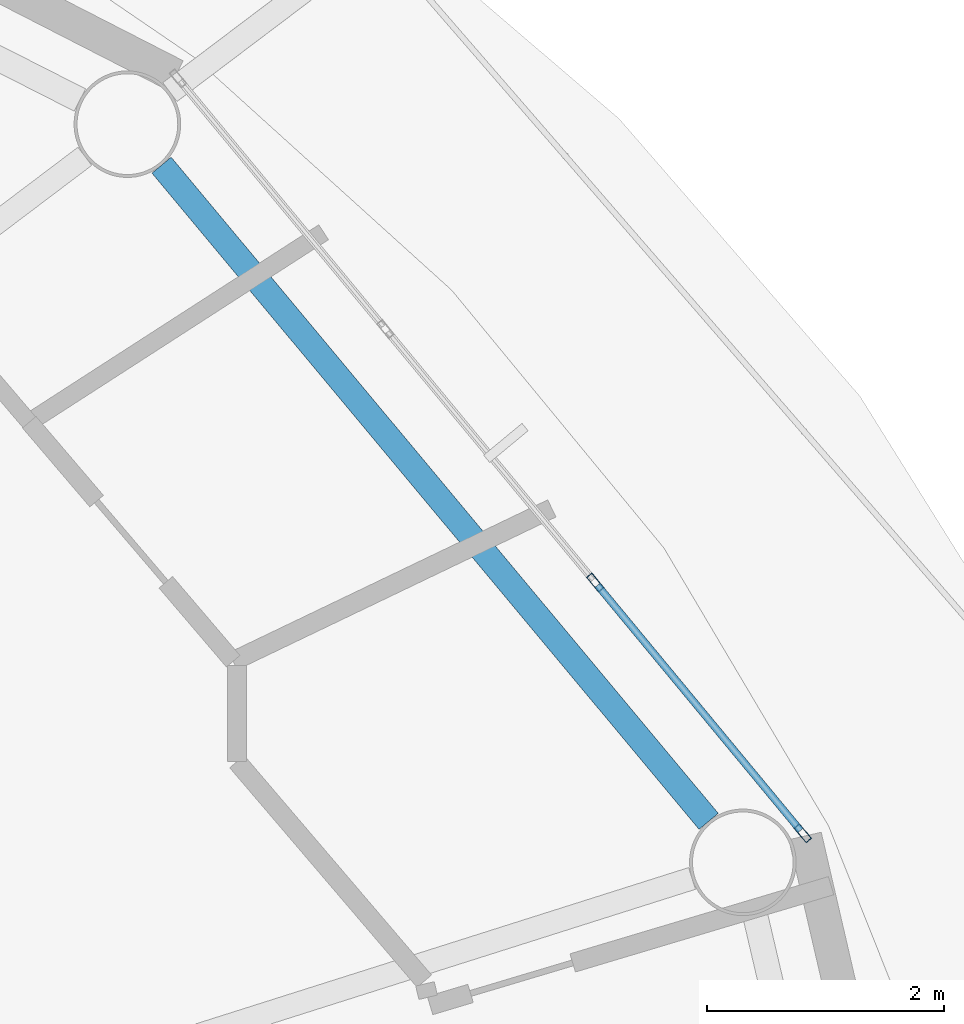
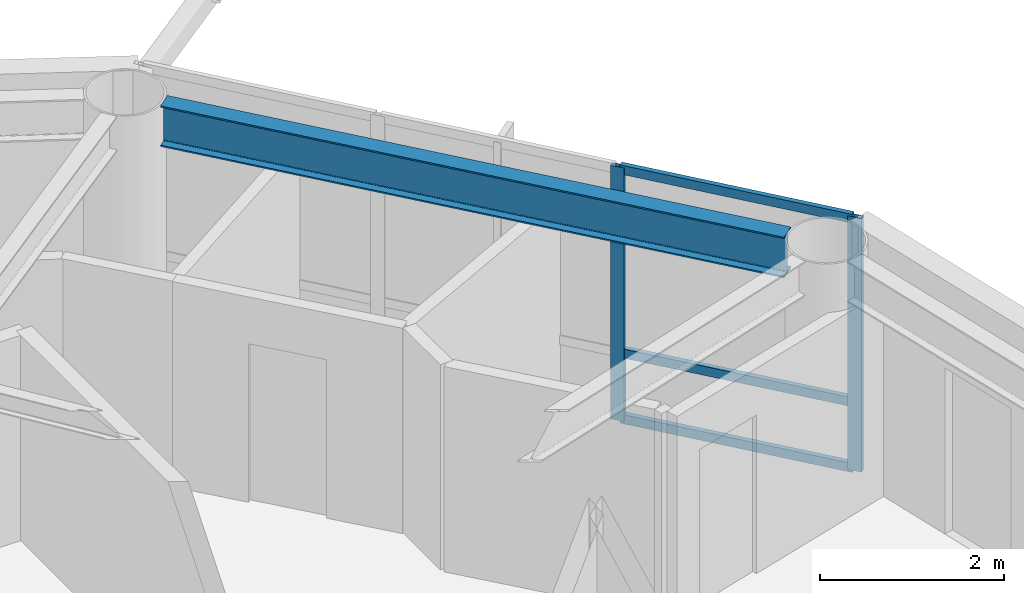
# One storey, part 7 of 23: 5 members, 1 beam, 1 element without a shape of its own.
"""IFC4 building model written with IfcOpenShell, lengths in metres."""

from ifc_helpers import new_model, si_unit, direction, frame, origin, origin_2d, place, context, subcontext, project, spatial, hollow_rectangle, i_section, extrude, material, layer, layer_set, material_profile, profile_set, type_object, element, aggregate, save


model = new_model("IFC4")

# Units and contexts
model_context = context("Model", 3, precision=1e-05, world=origin(), true_north=direction((0.0, 1.0)))
body_context = subcontext(model_context, "Body", "Model", "MODEL_VIEW")
ifc_project = project(units=[si_unit("LENGTHUNIT", "METRE"), si_unit("AREAUNIT", "SQUARE_METRE"), si_unit("VOLUMEUNIT", "CUBIC_METRE"), si_unit("PLANEANGLEUNIT", "RADIAN"), si_unit("MASSUNIT", "GRAM", prefix="KILO")], contexts=[model_context])

# Site, building, storey
site_placement = place(None, origin())
site = spatial("IfcSite", under=ifc_project, at=site_placement, CompositionType="ELEMENT")
building_placement = place(site_placement, origin())
building = spatial("IfcBuilding", under=site, at=building_placement, Name="Sarneth Arch Tower", CompositionType="ELEMENT")
storey_placement = place(building_placement, frame((0.0, 0.0, 231.60009765625)))
storey = spatial("IfcBuildingStorey", under=building, at=storey_placement, Name="L59", CompositionType="ELEMENT", Elevation=231.60009765625)

# Beam
ifc_material_1 = material(Name="Steel S355", Category="steel")
ifc_material_profile_1 = material_profile(ifc_material_1, i_section(OverallWidth=0.2109375, OverallDepth=0.5390625, WebThickness=0.01171875, FlangeThickness=0.018798828125, FilletRadius=0.01806640625, at=origin_2d()), Name="W530x109")
ifc_profile_set_1 = profile_set([ifc_material_profile_1], Name="Steel S355")
beam_type = type_object("IfcBeamType", Name="BM-RAD-530B", PredefinedType="BEAM", material=ifc_profile_set_1)
beam_placement = place(storey_placement, frame((70.880615234375, 49.693115234375, 3.09033203125), z_axis=(-0.640390876881, 0.768049168222, 0.0), x_axis=(-0.768049168222, -0.640390876881, 0.0)))
element("IfcBeam", 1, at=beam_placement, inside=storey, type_object=beam_type, Name="L59 Perimeter spandrel beam 02", PredefinedType="BEAM", context=body_context, shape_type="SweptSolid", body=[
    extrude(i_section(OverallWidth=0.2109375, OverallDepth=0.5390625, WebThickness=0.01171875, FlangeThickness=0.018798828125, FilletRadius=0.01806640625, at=origin_2d()), origin(), (0.0, 0.0, 1.0), 7.2099609375),
])

# Curtain wall, members
ifc_material_2 = material(Name="Anodised aluminium Type AA25 and solar-control low-e laminated IGU", Category="aluminium")
ifc_layer = layer(ifc_material_2, 0.179931640625)
ifc_layer_set = layer_set([ifc_layer], Name="Anodised aluminium Type AA25 and solar-control low-e laminated IGU")
curtain_wall_type = type_object("IfcCurtainWallType", Name="CW-RES-HIGH", PredefinedType="NOTDEFINED", material=ifc_layer_set)
curtain_wall_placement = place(storey_placement, origin())
curtain_wall = element("IfcCurtainWall", 2, at=curtain_wall_placement, inside=storey, type_object=curtain_wall_type, Name="L59 Unitised curtain wall facet 02", PredefinedType="NOTDEFINED")
ifc_material_3 = material(Name="Anodised Aluminium 6063-T6", Category="aluminium")
ifc_material_profile_2 = material_profile(ifc_material_3, hollow_rectangle(XDim=0.06005859375, YDim=0.159912109375, WallThickness=0.00390625, at=origin_2d()), Name="AL-MULL-160x60x4")
ifc_profile_set_2 = profile_set([ifc_material_profile_2], Name="Anodised Aluminium 6063-T6")
member_type_1 = type_object("IfcMemberType", Name="CW-MULLION", PredefinedType="MULLION", material=ifc_profile_set_2)
member_1_placement = place(storey_placement, frame((71.674560546875, 49.592529296875, 0.0), z_axis=(0.0, 0.0, 1.0), x_axis=(-0.770359245933, -0.637610094184, 0.0)))
member_1 = element("IfcMember", 3, at=member_1_placement, type_object=member_type_1, Name="CW-SYS-6 mullion 1", PredefinedType="MULLION", context=body_context, shape_type="SweptSolid", body=[
    extrude(hollow_rectangle(XDim=0.06005859375, YDim=0.159912109375, WallThickness=0.00390625, at=origin_2d()), origin(), (0.0, 0.0, 1.0), 3.35986328125),
])
member_2_placement = place(storey_placement, frame((69.92333984375, 51.70849609375, 0.0), z_axis=(0.0, 0.0, 1.0), x_axis=(-0.770359245933, -0.637610094184, 0.0)))
member_2 = element("IfcMember", 4, at=member_2_placement, type_object=member_type_1, Name="CW-SYS-6 mullion 2", PredefinedType="MULLION", context=body_context, shape_type="SweptSolid", body=[
    extrude(hollow_rectangle(XDim=0.06005859375, YDim=0.159912109375, WallThickness=0.00390625, at=origin_2d()), origin(), (0.0, 0.0, 1.0), 3.35986328125),
])
ifc_material_4 = material(Name="Anodised Aluminium 6063-T6", Category="aluminium")
ifc_material_profile_3 = material_profile(ifc_material_4, hollow_rectangle(XDim=0.06005859375, YDim=0.1201171875, WallThickness=0.00390625, at=origin_2d()), Name="AL-TRAN-120x60x4")
ifc_profile_set_3 = profile_set([ifc_material_profile_3], Name="Anodised Aluminium 6063-T6")
member_type_2 = type_object("IfcMemberType", Name="CW-TRANSOM", PredefinedType="USERDEFINED", material=ifc_profile_set_3)
member_3_placement = place(storey_placement, frame((71.655517578125, 49.61572265625, 0.02978515625), z_axis=(-0.637651400067, 0.770325056059, 0.0), x_axis=(-0.770325056059, -0.637651400067, 0.0)))
member_3 = element("IfcMember", 5, at=member_3_placement, type_object=member_type_2, Name="CW-SYS-6 transom 1.1", ObjectType="TRANSOM", PredefinedType="USERDEFINED", context=body_context, shape_type="SweptSolid", body=[
    extrude(hollow_rectangle(XDim=0.06005859375, YDim=0.1201171875, WallThickness=0.00390625, at=origin_2d()), origin(), (0.0, 0.0, 1.0), 2.6865234375),
])
member_4_placement = place(storey_placement, frame((71.655517578125, 49.61572265625, 0.89990234375), z_axis=(-0.637651400067, 0.770325056059, 0.0), x_axis=(-0.770325056059, -0.637651400067, 0.0)))
member_4 = element("IfcMember", 6, at=member_4_placement, type_object=member_type_2, Name="CW-SYS-6 transom 1.2", ObjectType="TRANSOM", PredefinedType="USERDEFINED", context=body_context, shape_type="SweptSolid", body=[
    extrude(hollow_rectangle(XDim=0.06005859375, YDim=0.1201171875, WallThickness=0.00390625, at=origin_2d()), origin(), (0.0, 0.0, 1.0), 2.6865234375),
])
member_5_placement = place(storey_placement, frame((71.655517578125, 49.61572265625, 3.329833984375), z_axis=(-0.637651400067, 0.770325056059, 0.0), x_axis=(-0.770325056059, -0.637651400067, 0.0)))
member_5 = element("IfcMember", 7, at=member_5_placement, type_object=member_type_2, Name="CW-SYS-6 transom 1.3", ObjectType="TRANSOM", PredefinedType="USERDEFINED", context=body_context, shape_type="SweptSolid", body=[
    extrude(hollow_rectangle(XDim=0.06005859375, YDim=0.1201171875, WallThickness=0.00390625, at=origin_2d()), origin(), (0.0, 0.0, 1.0), 2.6865234375),
])
aggregate(curtain_wall, [member_1, member_2, member_3, member_4, member_5])

save(model, "model.ifc")
